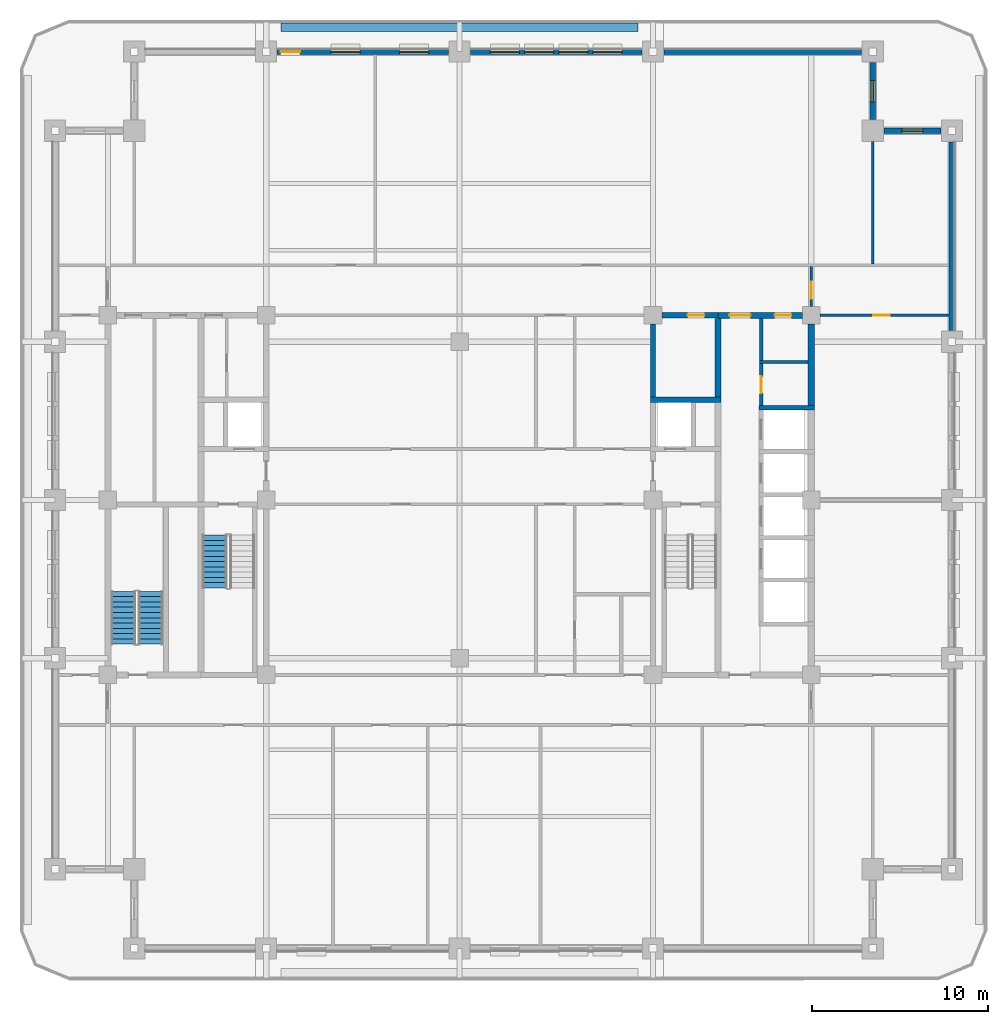
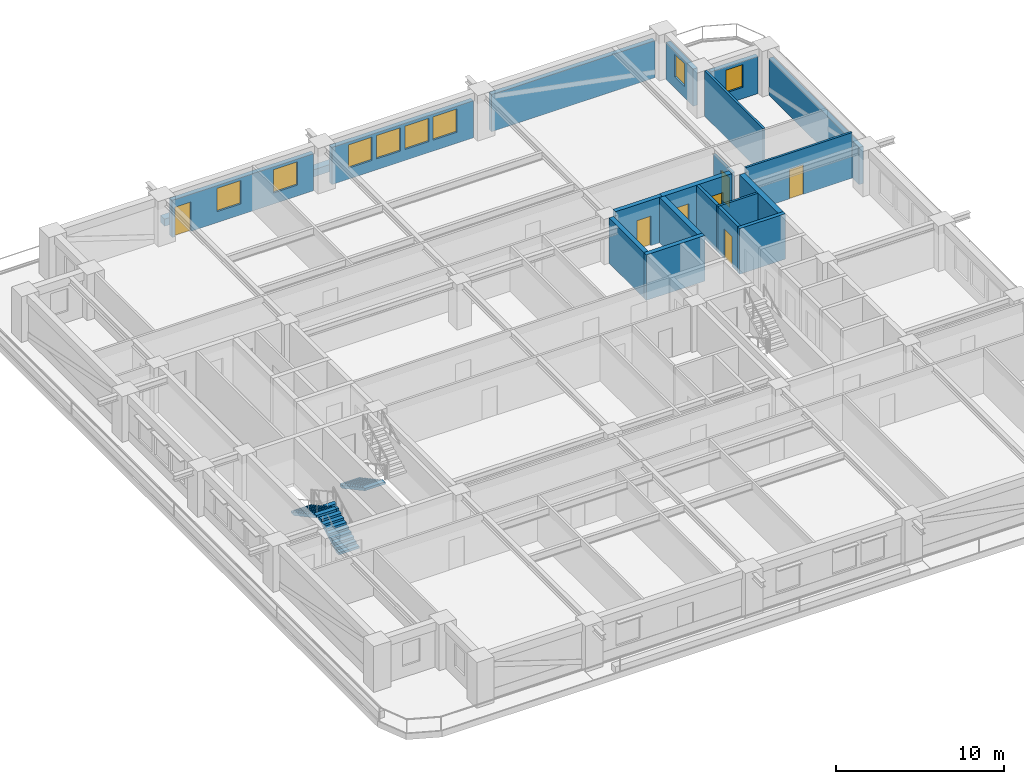
# One storey, part 6 of 13: 20 walls, 8 windows, 7 doors, 3 stair flights, 15 openings, 2 elements without a shape of their own.
"""IFC4 building model written with IfcOpenShell, lengths in metres."""

from ifc_helpers import new_model, si_unit, direction, frame, frame_2d, origin, place, context, subcontext, project, spatial, polyline, rectangle, outline, extrude, material, layer, layer_set, type_object, element, fill, aggregate, save


model = new_model("IFC4")

# Units and contexts
model_context = context("Model", 3, precision=1e-05, world=origin(), true_north=direction((0.0, 1.0)))
body_context = subcontext(model_context, "Body", "Model", "MODEL_VIEW")
ifc_project = project(units=[si_unit("LENGTHUNIT", "METRE"), si_unit("AREAUNIT", "SQUARE_METRE"), si_unit("VOLUMEUNIT", "CUBIC_METRE"), si_unit("PLANEANGLEUNIT", "RADIAN"), si_unit("MASSUNIT", "GRAM", prefix="KILO")], contexts=[model_context])

# Site, building, storey
site_placement = place(None, origin())
site = spatial("IfcSite", under=ifc_project, at=site_placement, CompositionType="ELEMENT")
building_placement = place(site_placement, origin())
building = spatial("IfcBuilding", under=site, at=building_placement, Name="Zulmaris Gate Convention Tower", CompositionType="ELEMENT")
storey_placement = place(building_placement, frame((0.0, 0.0, 109.2099609375)))
storey = spatial("IfcBuildingStorey", under=building, at=storey_placement, Name="L27", CompositionType="ELEMENT", Elevation=109.2099609375)

# Walls
ifc_material_1 = material(Name="Concrete C50/60", Category="concrete")
ifc_layer_1 = layer(ifc_material_1, 0.25, Name="Concrete C50/60")
ifc_layer_set_1 = layer_set([ifc_layer_1], Name="Concrete C50/60")
wall_type_1 = type_object("IfcWallType", Name="CORE-250", PredefinedType="SOLIDWALL", material=ifc_layer_set_1)
wall_1_placement = place(storey_placement, frame((17.02490234375, 5.25, 0.0), z_axis=(0.0, 0.0, 1.0), x_axis=(1.0, 0.0, 0.0)))
element("IfcWall", 1, at=wall_1_placement, inside=storey, type_object=wall_type_1, Name="WL-L27-014", PredefinedType="SOLIDWALL", context=body_context, shape_type="SweptSolid", body=[
    extrude(rectangle(XDim=3.150146484375, YDim=0.25, at=frame_2d((1.5751953125, 0.0))), origin(), (0.0, 0.0, 1.0), 3.320068359375),
])
ifc_layer_2 = layer(ifc_material_1, 0.300048828125, Name="Concrete C50/60")
ifc_layer_set_2 = layer_set([ifc_layer_2], Name="Concrete C50/60")
wall_type_2 = type_object("IfcWallType", Name="CORE-300", PredefinedType="SHEAR", material=ifc_layer_set_2)
wall_2_placement = place(storey_placement, frame((10.85009765625, 5.699951171875, 0.0), z_axis=(0.0, 0.0, 1.0), x_axis=(1.0, 0.0, 0.0)))
element("IfcWall", 2, at=wall_2_placement, inside=storey, type_object=wall_type_2, Name="WL-L27-016", PredefinedType="SHEAR", context=body_context, shape_type="SweptSolid", body=[
    extrude(rectangle(XDim=4.02490234375, YDim=0.300048828125, at=frame_2d((2.012451171875, 0.0))), origin(), (0.0, 0.0, 1.0), 3.320068359375),
])

# Wall, opening, door
wall_3_placement = place(storey_placement, frame((11.50390625, 10.5, 0.0), z_axis=(0.0, 0.0, 1.0), x_axis=(1.0, 0.0, 0.0)))
wall_3 = element("IfcWall", 3, at=wall_3_placement, inside=storey, type_object=wall_type_2, Name="WL-L27-019", PredefinedType="SHEAR", context=body_context, shape_type="SweptSolid", body=[
    extrude(rectangle(XDim=3.196044921875, YDim=0.300048828125, at=frame_2d((1.59814453125, 0.0))), origin(), (0.0, 0.0, 1.0), 3.320068359375),
])
opening_1_placement = place(wall_3_placement, frame((1.470947265625, 0.0, 0.0)))
opening_1 = element("IfcOpeningElement", 4, at=opening_1_placement, cuts=wall_3, Name="Opening D-11", PredefinedType="OPENING", context=body_context, shape_type="SweptSolid", body=[
    extrude(rectangle(XDim=0.949951171875, YDim=2.14990234375, at=frame_2d((0.47509765625, 1.074951171875))), frame((0.0, 0.16015625, 0.0), z_axis=(0.0, -1.0, 0.0), x_axis=(1.0, 0.0, 0.0)), (0.0, 0.0, 1.0), 0.320068359375),
])
ifc_material_2 = material(Name="Fire-Rated Timber", Category="wood")
door_type_1 = type_object("IfcDoorType", Name="DR-950-FD", OperationType="NOTDEFINED", PredefinedType="DOOR", material=ifc_material_2)
door_1_placement = place(opening_1_placement, origin())
door_1 = element("IfcDoor", 5, at=door_1_placement, inside=storey, type_object=door_type_1, Name="L27 Core Tea Pantry Door 09", OperationType="SINGLE_SWING_LEFT", OverallHeight=2.14990234375, OverallWidth=0.949951171875, PredefinedType="DOOR", context=body_context, shape_type="SweptSolid", body=[
    extrude(rectangle(XDim=0.949951171875, YDim=2.14990234375, at=frame_2d((0.47509765625, 1.074951171875))), frame((0.0, 0.02490234375, 0.0), z_axis=(0.0, -1.0, 0.0), x_axis=(1.0, 0.0, 0.0)), (0.0, 0.0, 1.0), 0.050048828125),
])
fill(opening_1, door_1)

# Wall
wall_4_placement = place(storey_placement, frame((11.0, 5.85205078125, 0.0), z_axis=(0.0, 0.0, 1.0), x_axis=(0.0, 1.0, 0.0)))
element("IfcWall", 6, at=wall_4_placement, inside=storey, type_object=wall_type_2, Name="WL-L27-050", PredefinedType="SHEAR", context=body_context, shape_type="SweptSolid", body=[
    extrude(rectangle(XDim=4.14404296875, YDim=0.300048828125, at=frame_2d((2.072021484375, 0.0))), origin(), (0.0, 0.0, 1.0), 3.320068359375),
])

# Wall, openings, doors
ifc_material_3 = material(Name="Concrete C55/67", Category="concrete")
ifc_layer_3 = layer(ifc_material_3, 0.35009765625, Name="Concrete C55/67")
ifc_layer_set_3 = layer_set([ifc_layer_3], Name="Concrete C55/67")
wall_type_3 = type_object("IfcWallType", Name="CORE-350", PredefinedType="SHEAR", material=ifc_layer_set_3)
wall_5_placement = place(storey_placement, frame((14.699951171875, 10.5, 0.0), z_axis=(0.0, 0.0, 1.0), x_axis=(1.0, 0.0, 0.0)))
wall_5 = element("IfcWall", 7, at=wall_5_placement, inside=storey, type_object=wall_type_3, Name="WL-L27-020", PredefinedType="SHEAR", context=body_context, shape_type="SweptSolid", body=[
    extrude(rectangle(XDim=4.796142578125, YDim=0.35009765625, at=frame_2d((2.39794921875, 0.0))), origin(), (0.0, 0.0, 1.0), 3.320068359375),
])
opening_2_placement = place(wall_5_placement, frame((0.64990234375, 0.0, 0.0)))
opening_2 = element("IfcOpeningElement", 8, at=opening_2_placement, cuts=wall_5, Name="Opening D-13", PredefinedType="OPENING", context=body_context, shape_type="SweptSolid", body=[
    extrude(rectangle(XDim=1.199951171875, YDim=2.14990234375, at=frame_2d((0.60009765625, 1.074951171875))), frame((0.0, 0.18505859375, 0.0), z_axis=(0.0, -1.0, 0.0), x_axis=(1.0, 0.0, 0.0)), (0.0, 0.0, 1.0), 0.3701171875),
])
opening_3_placement = place(wall_5_placement, frame((3.22509765625, 0.0, 0.0)))
opening_3 = element("IfcOpeningElement", 9, at=opening_3_placement, cuts=wall_5, Name="Opening D-11", PredefinedType="OPENING", context=body_context, shape_type="SweptSolid", body=[
    extrude(rectangle(XDim=0.949951171875, YDim=2.14990234375, at=frame_2d((0.47509765625, 1.074951171875))), frame((0.0, 0.18505859375, 0.0), z_axis=(0.0, -1.0, 0.0), x_axis=(1.0, 0.0, 0.0)), (0.0, 0.0, 1.0), 0.3701171875),
])
ifc_material_4 = material(Name="Fire-Rated Steel", Category="steel")
door_type_2 = type_object("IfcDoorType", Name="DR-1200-FD", OperationType="NOTDEFINED", PredefinedType="DOOR", material=ifc_material_4)
door_2_placement = place(opening_2_placement, origin())
door_2 = element("IfcDoor", 10, at=door_2_placement, inside=storey, type_object=door_type_2, Name="L27 East Lift Lobby North Door 18", OperationType="SINGLE_SWING_RIGHT", OverallHeight=2.14990234375, OverallWidth=1.199951171875, PredefinedType="DOOR", context=body_context, shape_type="SweptSolid", body=[
    extrude(rectangle(XDim=1.199951171875, YDim=2.14990234375, at=frame_2d((0.60009765625, 1.074951171875))), frame((0.0, 0.02490234375, 0.0), z_axis=(0.0, -1.0, 0.0), x_axis=(1.0, 0.0, 0.0)), (0.0, 0.0, 1.0), 0.050048828125),
])
fill(opening_2, door_2)
door_3_placement = place(opening_3_placement, origin())
door_3 = element("IfcDoor", 11, at=door_3_placement, inside=storey, type_object=door_type_1, Name="L27 Mid-Rise Supply Door 19", OperationType="SINGLE_SWING_LEFT", OverallHeight=2.14990234375, OverallWidth=0.949951171875, PredefinedType="DOOR", context=body_context, shape_type="SweptSolid", body=[
    extrude(rectangle(XDim=0.949951171875, YDim=2.14990234375, at=frame_2d((0.47509765625, 1.074951171875))), frame((0.0, 0.02490234375, 0.0), z_axis=(0.0, -1.0, 0.0), x_axis=(1.0, 0.0, 0.0)), (0.0, 0.0, 1.0), 0.050048828125),
])
fill(opening_3, door_3)

# Walls
wall_6_placement = place(storey_placement, frame((14.699951171875, 5.85205078125, 0.0), z_axis=(0.0, 0.0, 1.0), x_axis=(0.0, 1.0, 0.0)))
element("IfcWall", 12, at=wall_6_placement, inside=storey, type_object=wall_type_3, Name="WL-L27-056", PredefinedType="SHEAR", context=body_context, shape_type="SweptSolid", body=[
    extrude(rectangle(XDim=4.470947265625, YDim=0.35009765625, at=frame_2d((2.2353515625, 0.0))), origin(), (0.0, 0.0, 1.0), 3.320068359375),
])
wall_7_placement = place(storey_placement, frame((20.0, 5.376953125, 0.0), z_axis=(0.0, 0.0, 1.0), x_axis=(0.0, 1.0, 0.0)))
element("IfcWall", 13, at=wall_7_placement, inside=storey, type_object=wall_type_3, Name="WL-L27-068", PredefinedType="SHEAR", context=body_context, shape_type="SweptSolid", body=[
    extrude(rectangle(XDim=4.619140625, YDim=0.35009765625, at=frame_2d((2.3095703125, 0.0))), origin(), (0.0, 0.0, 1.0), 3.320068359375),
])
ifc_material_5 = material(Name="Gypsum Metal Stud Partition")
ifc_layer_4 = layer(ifc_material_5, 0.14990234375, Name="Gypsum Metal Stud Partition")
ifc_layer_set_4 = layer_set([ifc_layer_4], Name="Gypsum Metal Stud Partition")
wall_type_4 = type_object("IfcWallType", Name="PART-150", PredefinedType="PARTITIONING", material=ifc_layer_set_4)
wall_8_placement = place(storey_placement, frame((17.050048828125, 7.85009765625, 0.0), z_axis=(0.0, 0.0, 1.0), x_axis=(1.0, 0.0, 0.0)))
element("IfcWall", 14, at=wall_8_placement, inside=storey, type_object=wall_type_4, Name="WL-L27-029", PredefinedType="PARTITIONING", context=body_context, shape_type="SweptSolid", body=[
    extrude(rectangle(XDim=2.77197265625, YDim=0.14990234375, at=frame_2d((1.385986328125, 0.0))), origin(), (0.0, 0.0, 1.0), 3.320068359375),
])

# Wall, opening, door
wall_9_placement = place(storey_placement, frame((20.506103515625, 10.5, 0.0), z_axis=(0.0, 0.0, 1.0), x_axis=(1.0, 0.0, 0.0)))
wall_9 = element("IfcWall", 15, at=wall_9_placement, inside=storey, type_object=wall_type_4, Name="WL-L27-032", PredefinedType="PARTITIONING", context=body_context, shape_type="SweptSolid", body=[
    extrude(rectangle(XDim=7.328857421875, YDim=0.14990234375, at=frame_2d((3.66455078125, 0.0))), origin(), (0.0, 0.0, 1.0), 3.320068359375),
])
opening_4_placement = place(wall_9_placement, frame((3.01904296875, 0.0, 0.0)))
opening_4 = element("IfcOpeningElement", 16, at=opening_4_placement, cuts=wall_9, Name="Opening D-11", PredefinedType="OPENING", context=body_context, shape_type="SweptSolid", body=[
    extrude(rectangle(XDim=0.949951171875, YDim=2.14990234375, at=frame_2d((0.47509765625, 1.074951171875))), frame((0.0, 0.0849609375, 0.0), z_axis=(0.0, -1.0, 0.0), x_axis=(1.0, 0.0, 0.0)), (0.0, 0.0, 1.0), 0.169921875),
])
door_4_placement = place(opening_4_placement, origin())
door_4 = element("IfcDoor", 17, at=door_4_placement, inside=storey, type_object=door_type_1, Name="L27 NE Partner Door 44", OperationType="SINGLE_SWING_RIGHT", OverallHeight=2.14990234375, OverallWidth=0.949951171875, PredefinedType="DOOR", context=body_context, shape_type="SweptSolid", body=[
    extrude(rectangle(XDim=0.949951171875, YDim=2.14990234375, at=frame_2d((0.47509765625, 1.074951171875))), frame((0.0, 0.02490234375, 0.0), z_axis=(0.0, -1.0, 0.0), x_axis=(1.0, 0.0, 0.0)), (0.0, 0.0, 1.0), 0.050048828125),
])
fill(opening_4, door_4)

wall_10_placement = place(storey_placement, frame((20.0, 11.006103515625, 0.0), z_axis=(0.0, 0.0, 1.0), x_axis=(0.0, 1.0, 0.0)))
wall_10 = element("IfcWall", 18, at=wall_10_placement, inside=storey, type_object=wall_type_4, Name="WL-L27-089", PredefinedType="PARTITIONING", context=body_context, shape_type="SweptSolid", body=[
    extrude(rectangle(XDim=2.265869140625, YDim=0.14990234375, at=frame_2d((1.1328125, 0.0))), origin(), (0.0, 0.0, 1.0), 2.81005859375),
])
opening_5_placement = place(wall_10_placement, frame((0.448974609375, 0.0, 0.0)))
opening_5 = element("IfcOpeningElement", 19, at=opening_5_placement, cuts=wall_10, Name="Opening D-11", PredefinedType="OPENING", context=body_context, shape_type="SweptSolid", body=[
    extrude(rectangle(XDim=0.949951171875, YDim=2.14990234375, at=frame_2d((0.47509765625, 1.074951171875))), frame((0.0, 0.0849609375, 0.0), z_axis=(0.0, -1.0, 0.0), x_axis=(1.0, 0.0, 0.0)), (0.0, 0.0, 1.0), 0.169921875),
])
door_5_placement = place(opening_5_placement, origin())
door_5 = element("IfcDoor", 20, at=door_5_placement, inside=storey, type_object=door_type_1, Name="L27 NE Spur Door 42", OperationType="SINGLE_SWING_RIGHT", OverallHeight=2.14990234375, OverallWidth=0.949951171875, PredefinedType="DOOR", context=body_context, shape_type="SweptSolid", body=[
    extrude(rectangle(XDim=0.949951171875, YDim=2.14990234375, at=frame_2d((0.47509765625, 1.074951171875))), frame((0.0, 0.02490234375, 0.0), z_axis=(0.0, -1.0, 0.0), x_axis=(1.0, 0.0, 0.0)), (0.0, 0.0, 1.0), 0.050048828125),
])
fill(opening_5, door_5)

# Wall
wall_11_placement = place(storey_placement, frame((23.5, 13.427978515625, 0.0), z_axis=(0.0, 0.0, 1.0), x_axis=(0.0, 1.0, 0.0)))
element("IfcWall", 21, at=wall_11_placement, inside=storey, type_object=wall_type_4, Name="WL-L27-091", PredefinedType="PARTITIONING", context=body_context, shape_type="SweptSolid", body=[
    extrude(rectangle(XDim=6.966064453125, YDim=0.14990234375, at=frame_2d((3.48291015625, 0.0))), origin(), (0.0, 0.0, 1.0), 3.320068359375),
])

# Wall, opening, door
ifc_material_6 = material(Name="Autoclaved Aerated Concrete Block and Plasterboard", Category="concrete")
ifc_layer_5 = layer(ifc_material_6, 0.199951171875, Name="Autoclaved Aerated Concrete Block and Plasterboard")
ifc_layer_set_5 = layer_set([ifc_layer_5], Name="Autoclaved Aerated Concrete Block and Plasterboard")
wall_type_5 = type_object("IfcWallType", Name="PART-200", PredefinedType="PARTITIONING", material=ifc_layer_set_5)
wall_12_placement = place(storey_placement, frame((17.14990234375, 5.3779296875, 0.0), z_axis=(0.0, 0.0, 1.0), x_axis=(0.0, 1.0, 0.0)))
wall_12 = element("IfcWall", 22, at=wall_12_placement, inside=storey, type_object=wall_type_5, Name="WL-L27-086", PredefinedType="PARTITIONING", context=body_context, shape_type="SweptSolid", body=[
    extrude(rectangle(XDim=2.39404296875, YDim=0.199951171875, at=frame_2d((1.197021484375, 0.0))), origin(), (0.0, 0.0, 1.0), 3.320068359375),
])
opening_6_placement = place(wall_12_placement, frame((0.697021484375, 0.0, 0.0)))
opening_6 = element("IfcOpeningElement", 23, at=opening_6_placement, cuts=wall_12, Name="Opening D-11", PredefinedType="OPENING", context=body_context, shape_type="SweptSolid", body=[
    extrude(rectangle(XDim=0.949951171875, YDim=2.14990234375, at=frame_2d((0.47509765625, 1.074951171875))), frame((0.0, 0.10986328125, 0.0), z_axis=(0.0, -1.0, 0.0), x_axis=(1.0, 0.0, 0.0)), (0.0, 0.0, 1.0), 0.219970703125),
])
door_6_placement = place(opening_6_placement, origin())
door_6 = element("IfcDoor", 24, at=door_6_placement, inside=storey, type_object=door_type_1, Name="L27 Mid-Rise Meter Door 20", OperationType="SINGLE_SWING_RIGHT", OverallHeight=2.14990234375, OverallWidth=0.949951171875, PredefinedType="DOOR", context=body_context, shape_type="SweptSolid", body=[
    extrude(rectangle(XDim=0.949951171875, YDim=2.14990234375, at=frame_2d((0.47509765625, 1.074951171875))), frame((0.0, 0.02490234375, 0.0), z_axis=(0.0, -1.0, 0.0), x_axis=(1.0, 0.0, 0.0)), (0.0, 0.0, 1.0), 0.050048828125),
])
fill(opening_6, door_6)

# Walls
wall_13_placement = place(storey_placement, frame((17.14990234375, 7.927978515625, 0.0), z_axis=(0.0, 0.0, 1.0), x_axis=(0.0, 1.0, 0.0)))
element("IfcWall", 25, at=wall_13_placement, inside=storey, type_object=wall_type_5, Name="WL-L27-087", PredefinedType="PARTITIONING", context=body_context, shape_type="SweptSolid", body=[
    extrude(rectangle(XDim=2.39404296875, YDim=0.199951171875, at=frame_2d((1.197021484375, 0.0))), origin(), (0.0, 0.0, 1.0), 3.320068359375),
])
ifc_material_7 = material(Name="Botanical Green Glazed Precast Concrete C40/50", Category="concrete")
ifc_layer_6 = layer(ifc_material_7, 0.419921875, Name="Botanical Green Glazed Precast Concrete C40/50")
ifc_layer_set_6 = layer_set([ifc_layer_6], Name="Botanical Green Glazed Precast Concrete C40/50")
wall_type_6 = type_object("IfcWallType", Name="PLANTER-CURB-200", PredefinedType="PARAPET", material=ifc_layer_set_6)
wall_14_placement = place(storey_placement, frame((-10.14990234375, 26.8798828125, -0.0400390625), z_axis=(0.0, 0.0, 1.0), x_axis=(1.0, 0.0, 0.0)))
element("IfcWall", 26, at=wall_14_placement, inside=storey, type_object=wall_type_6, Name="L27 Full-Length Balcony Tree Planter Trough", PredefinedType="PARAPET", context=body_context, shape_type="SweptSolid", body=[
    extrude(rectangle(XDim=20.2998046875, YDim=0.47998046875, at=frame_2d((10.14990234375, 0.0))), origin(), (0.0, 0.0, 1.0), 0.52001953125),
])

# Wall, opening, window
ifc_material_8 = material(Name="Precast concrete C40/50", Category="concrete")
ifc_layer_7 = layer(ifc_material_8, 0.300048828125, Name="Precast concrete C40/50")
ifc_layer_set_7 = layer_set([ifc_layer_7], Name="Precast concrete C40/50")
wall_type_7 = type_object("IfcWallType", Name="PRECAST-PIER-300", PredefinedType="STANDARD", material=ifc_layer_set_7)
wall_15_placement = place(storey_placement, frame((27.3701171875, 21.0, 0.0), z_axis=(0.0, 0.0, 1.0), x_axis=(-1.0, 0.0, 0.0)))
wall_15 = element("IfcWall", 27, at=wall_15_placement, inside=storey, type_object=wall_type_7, Name="EW-L27-NOTCH-NE1_0", PredefinedType="STANDARD", context=body_context, shape_type="SweptSolid", body=[
    extrude(rectangle(XDim=3.240234375, YDim=0.300048828125, at=frame_2d((1.6201171875, 0.0))), origin(), (0.0, 0.0, 1.0), 2.712158203125),
])
opening_7_placement = place(wall_15_placement, frame((1.02001953125, 0.0, 0.820068359375)))
opening_7 = element("IfcOpeningElement", 28, at=opening_7_placement, cuts=wall_15, Name="Opening W-04", PredefinedType="OPENING", context=body_context, shape_type="SweptSolid", body=[
    extrude(rectangle(XDim=1.199951171875, YDim=1.64990234375, at=frame_2d((0.60009765625, 0.824951171875))), frame((0.0, 0.16015625, 0.0), z_axis=(0.0, -1.0, 0.0), x_axis=(1.0, 0.0, 0.0)), (0.0, 0.0, 1.0), 0.320068359375),
])
ifc_material_9 = material(Name="Low-E Laminated Double Glazing in Aluminium Frame", Category="aluminium")
window_type_1 = type_object("IfcWindowType", Name="WIN-1200x2100", PartitioningType="SINGLE_PANEL", PredefinedType="WINDOW", material=ifc_material_9)
window_1_placement = place(opening_7_placement, origin())
window_1 = element("IfcWindow", 29, at=window_1_placement, inside=storey, type_object=window_type_1, Name="WN-EW-L27-NOTCH-NE1_0", OverallHeight=1.64990234375, OverallWidth=1.199951171875, PartitioningType="SINGLE_PANEL", PredefinedType="WINDOW", context=body_context, shape_type="SweptSolid", body=[
    extrude(rectangle(XDim=1.199951171875, YDim=1.64990234375, at=frame_2d((0.60009765625, 0.824951171875))), frame((0.0, 0.030029296875, 0.0), z_axis=(0.0, -1.0, 0.0), x_axis=(1.0, 0.0, 0.0)), (0.0, 0.0, 1.0), 0.06005859375),
])
fill(opening_7, window_1)

wall_16_placement = place(storey_placement, frame((23.5, 21.6298828125, 0.0), z_axis=(0.0, 0.0, 1.0), x_axis=(0.0, 1.0, 0.0)))
wall_16 = element("IfcWall", 30, at=wall_16_placement, inside=storey, type_object=wall_type_7, Name="EW-L27-NOTCH-NE2_0", PredefinedType="STANDARD", context=body_context, shape_type="SweptSolid", body=[
    extrude(rectangle(XDim=3.240234375, YDim=0.300048828125, at=frame_2d((1.6201171875, 0.0))), origin(), (0.0, 0.0, 1.0), 2.712158203125),
])
opening_8_placement = place(wall_16_placement, frame((1.02001953125, 0.0, 0.820068359375)))
opening_8 = element("IfcOpeningElement", 31, at=opening_8_placement, cuts=wall_16, Name="Opening W-04", PredefinedType="OPENING", context=body_context, shape_type="SweptSolid", body=[
    extrude(rectangle(XDim=1.199951171875, YDim=1.64990234375, at=frame_2d((0.60009765625, 0.824951171875))), frame((0.0, 0.16015625, 0.0), z_axis=(0.0, -1.0, 0.0), x_axis=(1.0, 0.0, 0.0)), (0.0, 0.0, 1.0), 0.320068359375),
])
window_2_placement = place(opening_8_placement, origin())
window_2 = element("IfcWindow", 32, at=window_2_placement, inside=storey, type_object=window_type_1, Name="WN-EW-L27-NOTCH-NE2_0", OverallHeight=1.64990234375, OverallWidth=1.199951171875, PartitioningType="SINGLE_PANEL", PredefinedType="WINDOW", context=body_context, shape_type="SweptSolid", body=[
    extrude(rectangle(XDim=1.199951171875, YDim=1.64990234375, at=frame_2d((0.60009765625, 0.824951171875))), frame((0.0, 0.030029296875, 0.0), z_axis=(0.0, -1.0, 0.0), x_axis=(1.0, 0.0, 0.0)), (0.0, 0.0, 1.0), 0.06005859375),
])
fill(opening_8, window_2)

# Wall, openings, door, windows
wall_17_placement = place(storey_placement, frame((-0.6298828125, 25.5, 0.0), z_axis=(0.0, 0.0, 1.0), x_axis=(-1.0, 0.0, 0.0)))
wall_17 = element("IfcWall", 33, at=wall_17_placement, inside=storey, type_object=wall_type_7, Name="EW-L27-N-1_0", PredefinedType="STANDARD", context=body_context, shape_type="SweptSolid", body=[
    extrude(rectangle(XDim=9.740234375, YDim=0.300048828125, at=frame_2d((4.8701171875, 0.0))), origin(), (0.0, 0.0, 1.0), 2.712158203125),
])
opening_9_placement = place(wall_17_placement, frame((8.43994140625, 0.0, 0.0)))
opening_9 = element("IfcOpeningElement", 34, at=opening_9_placement, cuts=wall_17, Name="Opening D-04", PredefinedType="OPENING", context=body_context, shape_type="SweptSolid", body=[
    extrude(rectangle(XDim=1.10009765625, YDim=2.14990234375, at=frame_2d((0.550048828125, 1.074951171875))), frame((0.0, 0.16015625, 0.0), z_axis=(0.0, -1.0, 0.0), x_axis=(1.0, 0.0, 0.0)), (0.0, 0.0, 1.0), 0.320068359375),
])
opening_10_placement = place(wall_17_placement, frame((1.123046875, 0.0, 0.800048828125)))
opening_10 = element("IfcOpeningElement", 35, at=opening_10_placement, cuts=wall_17, Name="Opening W-08", PredefinedType="OPENING", context=body_context, shape_type="SweptSolid", body=[
    extrude(rectangle(XDim=1.64990234375, YDim=1.699951171875, at=frame_2d((0.824951171875, 0.85009765625))), frame((0.0, 0.16015625, 0.0), z_axis=(0.0, -1.0, 0.0), x_axis=(1.0, 0.0, 0.0)), (0.0, 0.0, 1.0), 0.320068359375),
])
opening_11_placement = place(wall_17_placement, frame((5.01904296875, 0.0, 0.800048828125)))
opening_11 = element("IfcOpeningElement", 36, at=opening_11_placement, cuts=wall_17, Name="Opening W-08", PredefinedType="OPENING", context=body_context, shape_type="SweptSolid", body=[
    extrude(rectangle(XDim=1.64990234375, YDim=1.699951171875, at=frame_2d((0.824951171875, 0.85009765625))), frame((0.0, 0.16015625, 0.0), z_axis=(0.0, -1.0, 0.0), x_axis=(1.0, 0.0, 0.0)), (0.0, 0.0, 1.0), 0.320068359375),
])
ifc_material_10 = material(Name="Anodised Aluminium and Laminated Glass", Category="aluminium")
door_type_3 = type_object("IfcDoorType", Name="ED-1100", OperationType="SINGLE_SWING_RIGHT", PredefinedType="DOOR", material=ifc_material_10)
door_7_placement = place(opening_9_placement, origin())
door_7 = element("IfcDoor", 37, at=door_7_placement, inside=storey, type_object=door_type_3, Name="L27 N Planted Terrace Door", OperationType="SINGLE_SWING_LEFT", OverallHeight=2.14990234375, OverallWidth=1.10009765625, PredefinedType="DOOR", context=body_context, shape_type="SweptSolid", body=[
    extrude(rectangle(XDim=1.10009765625, YDim=2.14990234375, at=frame_2d((0.550048828125, 1.074951171875))), frame((0.0, 0.02490234375, 0.0), z_axis=(0.0, -1.0, 0.0), x_axis=(1.0, 0.0, 0.0)), (0.0, 0.0, 1.0), 0.050048828125),
])
fill(opening_9, door_7)
window_type_2 = type_object("IfcWindowType", Name="WIN-1650x2150", PartitioningType="SINGLE_PANEL", PredefinedType="WINDOW", material=ifc_material_9)
window_3_placement = place(opening_10_placement, origin())
window_3 = element("IfcWindow", 38, at=window_3_placement, inside=storey, type_object=window_type_2, Name="WN-EW-L27-N-1_0-1", OverallHeight=1.699951171875, OverallWidth=1.64990234375, PartitioningType="SINGLE_PANEL", PredefinedType="WINDOW", context=body_context, shape_type="SweptSolid", body=[
    extrude(rectangle(XDim=1.64990234375, YDim=1.699951171875, at=frame_2d((0.824951171875, 0.85009765625))), frame((0.0, 0.030029296875, 0.0), z_axis=(0.0, -1.0, 0.0), x_axis=(1.0, 0.0, 0.0)), (0.0, 0.0, 1.0), 0.06005859375),
])
fill(opening_10, window_3)
window_4_placement = place(opening_11_placement, origin())
window_4 = element("IfcWindow", 39, at=window_4_placement, inside=storey, type_object=window_type_2, Name="WN-EW-L27-N-1_0-3", OverallHeight=1.699951171875, OverallWidth=1.64990234375, PartitioningType="SINGLE_PANEL", PredefinedType="WINDOW", context=body_context, shape_type="SweptSolid", body=[
    extrude(rectangle(XDim=1.64990234375, YDim=1.699951171875, at=frame_2d((0.824951171875, 0.85009765625))), frame((0.0, 0.030029296875, 0.0), z_axis=(0.0, -1.0, 0.0), x_axis=(1.0, 0.0, 0.0)), (0.0, 0.0, 1.0), 0.06005859375),
])
fill(opening_11, window_4)

# Wall, openings, windows
wall_18_placement = place(storey_placement, frame((10.3701171875, 25.5, 0.0), z_axis=(0.0, 0.0, 1.0), x_axis=(-1.0, 0.0, 0.0)))
wall_18 = element("IfcWall", 40, at=wall_18_placement, inside=storey, type_object=wall_type_7, Name="EW-L27-N-2_0", PredefinedType="STANDARD", context=body_context, shape_type="SweptSolid", body=[
    extrude(rectangle(XDim=9.740234375, YDim=0.300048828125, at=frame_2d((4.8701171875, 0.0))), origin(), (0.0, 0.0, 1.0), 2.712158203125),
])
opening_12_placement = place(wall_18_placement, frame((1.123046875, 0.0, 0.800048828125)))
opening_12 = element("IfcOpeningElement", 41, at=opening_12_placement, cuts=wall_18, Name="Opening W-08", PredefinedType="OPENING", context=body_context, shape_type="SweptSolid", body=[
    extrude(rectangle(XDim=1.64990234375, YDim=1.699951171875, at=frame_2d((0.824951171875, 0.85009765625))), frame((0.0, 0.16015625, 0.0), z_axis=(0.0, -1.0, 0.0), x_axis=(1.0, 0.0, 0.0)), (0.0, 0.0, 1.0), 0.320068359375),
])
opening_13_placement = place(wall_18_placement, frame((3.071044921875, 0.0, 0.800048828125)))
opening_13 = element("IfcOpeningElement", 42, at=opening_13_placement, cuts=wall_18, Name="Opening W-08", PredefinedType="OPENING", context=body_context, shape_type="SweptSolid", body=[
    extrude(rectangle(XDim=1.64990234375, YDim=1.699951171875, at=frame_2d((0.824951171875, 0.85009765625))), frame((0.0, 0.16015625, 0.0), z_axis=(0.0, -1.0, 0.0), x_axis=(1.0, 0.0, 0.0)), (0.0, 0.0, 1.0), 0.320068359375),
])
opening_14_placement = place(wall_18_placement, frame((5.01904296875, 0.0, 0.800048828125)))
opening_14 = element("IfcOpeningElement", 43, at=opening_14_placement, cuts=wall_18, Name="Opening W-08", PredefinedType="OPENING", context=body_context, shape_type="SweptSolid", body=[
    extrude(rectangle(XDim=1.64990234375, YDim=1.699951171875, at=frame_2d((0.824951171875, 0.85009765625))), frame((0.0, 0.16015625, 0.0), z_axis=(0.0, -1.0, 0.0), x_axis=(1.0, 0.0, 0.0)), (0.0, 0.0, 1.0), 0.320068359375),
])
opening_15_placement = place(wall_18_placement, frame((6.967041015625, 0.0, 0.800048828125)))
opening_15 = element("IfcOpeningElement", 44, at=opening_15_placement, cuts=wall_18, Name="Opening W-08", PredefinedType="OPENING", context=body_context, shape_type="SweptSolid", body=[
    extrude(rectangle(XDim=1.64990234375, YDim=1.699951171875, at=frame_2d((0.824951171875, 0.85009765625))), frame((0.0, 0.16015625, 0.0), z_axis=(0.0, -1.0, 0.0), x_axis=(1.0, 0.0, 0.0)), (0.0, 0.0, 1.0), 0.320068359375),
])
window_5_placement = place(opening_12_placement, origin())
window_5 = element("IfcWindow", 45, at=window_5_placement, inside=storey, type_object=window_type_2, Name="WN-EW-L27-N-2_0-1", OverallHeight=1.699951171875, OverallWidth=1.64990234375, PartitioningType="SINGLE_PANEL", PredefinedType="WINDOW", context=body_context, shape_type="SweptSolid", body=[
    extrude(rectangle(XDim=1.64990234375, YDim=1.699951171875, at=frame_2d((0.824951171875, 0.85009765625))), frame((0.0, 0.030029296875, 0.0), z_axis=(0.0, -1.0, 0.0), x_axis=(1.0, 0.0, 0.0)), (0.0, 0.0, 1.0), 0.06005859375),
])
fill(opening_12, window_5)
window_6_placement = place(opening_13_placement, origin())
window_6 = element("IfcWindow", 46, at=window_6_placement, inside=storey, type_object=window_type_2, Name="WN-EW-L27-N-2_0-2", OverallHeight=1.699951171875, OverallWidth=1.64990234375, PartitioningType="SINGLE_PANEL", PredefinedType="WINDOW", context=body_context, shape_type="SweptSolid", body=[
    extrude(rectangle(XDim=1.64990234375, YDim=1.699951171875, at=frame_2d((0.824951171875, 0.85009765625))), frame((0.0, 0.030029296875, 0.0), z_axis=(0.0, -1.0, 0.0), x_axis=(1.0, 0.0, 0.0)), (0.0, 0.0, 1.0), 0.06005859375),
])
fill(opening_13, window_6)
window_7_placement = place(opening_14_placement, origin())
window_7 = element("IfcWindow", 47, at=window_7_placement, inside=storey, type_object=window_type_2, Name="WN-EW-L27-N-2_0-3", OverallHeight=1.699951171875, OverallWidth=1.64990234375, PartitioningType="SINGLE_PANEL", PredefinedType="WINDOW", context=body_context, shape_type="SweptSolid", body=[
    extrude(rectangle(XDim=1.64990234375, YDim=1.699951171875, at=frame_2d((0.824951171875, 0.85009765625))), frame((0.0, 0.030029296875, 0.0), z_axis=(0.0, -1.0, 0.0), x_axis=(1.0, 0.0, 0.0)), (0.0, 0.0, 1.0), 0.06005859375),
])
fill(opening_14, window_7)
window_8_placement = place(opening_15_placement, origin())
window_8 = element("IfcWindow", 48, at=window_8_placement, inside=storey, type_object=window_type_2, Name="WN-EW-L27-N-2_0-4", OverallHeight=1.699951171875, OverallWidth=1.64990234375, PartitioningType="SINGLE_PANEL", PredefinedType="WINDOW", context=body_context, shape_type="SweptSolid", body=[
    extrude(rectangle(XDim=1.64990234375, YDim=1.699951171875, at=frame_2d((0.824951171875, 0.85009765625))), frame((0.0, 0.030029296875, 0.0), z_axis=(0.0, -1.0, 0.0), x_axis=(1.0, 0.0, 0.0)), (0.0, 0.0, 1.0), 0.06005859375),
])
fill(opening_15, window_8)

# Walls
wall_19_placement = place(storey_placement, frame((22.8701171875, 25.5, 0.0), z_axis=(0.0, 0.0, 1.0), x_axis=(-1.0, 0.0, 0.0)))
element("IfcWall", 49, at=wall_19_placement, inside=storey, type_object=wall_type_7, Name="EW-L27-N-3_0", PredefinedType="STANDARD", context=body_context, shape_type="SweptSolid", body=[
    extrude(rectangle(XDim=11.240234375, YDim=0.300048828125, at=frame_2d((5.6201171875, 0.0))), origin(), (0.0, 0.0, 1.0), 2.712158203125),
])
wall_20_placement = place(storey_placement, frame((28.0, 9.6298828125, 0.0), z_axis=(0.0, 0.0, 1.0), x_axis=(0.0, 1.0, 0.0)))
element("IfcWall", 50, at=wall_20_placement, inside=storey, type_object=wall_type_7, Name="EW-L27-E-3_0", PredefinedType="STANDARD", context=body_context, shape_type="SweptSolid", body=[
    extrude(rectangle(XDim=10.740234375, YDim=0.300048828125, at=frame_2d((5.3701171875, 0.0))), origin(), (0.0, 0.0, 1.0), 2.712158203125),
])

# Stair, stair flight
ifc_material_11 = material(Name="Concrete C45/55", Category="concrete")
stair_type = type_object("IfcStairType", Name="ST-CORE-DOGLEG", PredefinedType="HALF_TURN_STAIR", material=ifc_material_11)
stair_1_placement = place(storey_placement, origin())
stair_1 = element("IfcStair", 51, at=stair_1_placement, inside=storey, type_object=stair_type, Name="L27 Core Exit Stair ST-1", PredefinedType="HALF_TURN_STAIR")
ifc_layer_8 = layer(ifc_material_11, 0.14990234375, Name="Concrete C45/55")
ifc_layer_set_8 = layer_set([ifc_layer_8], Name="Concrete C45/55")
stair_flight_type = type_object("IfcStairFlightType", Name="STF-RC150", PredefinedType="STRAIGHT", material=ifc_layer_set_8)
stair_flight_1_placement = place(storey_placement, frame((-13.919921875, -2.0, 0.0), z_axis=(0.0, 0.0, 1.0), x_axis=(0.0, -1.0, 0.0)))
stair_flight_1 = element("IfcStairFlight", 52, at=stair_flight_1_placement, type_object=stair_flight_type, Name="ST-1 flight 1", NumberOfRisers=11, NumberOfTreads=10, PredefinedType="STRAIGHT", RiserHeight=0.162272727, TreadLength=0.3, context=body_context, shape_type="SweptSolid", body=[
    extrude(outline(polyline([(0.0, 0.0), (0.0, 0.162353515625), (0.300048828125, 0.162353515625), (0.300048828125, 0.324462890625), (0.60009765625, 0.324462890625), (0.60009765625, 0.48681640625), (0.89990234375, 0.48681640625), (0.89990234375, 0.649169921875), (1.199951171875, 0.649169921875), (1.199951171875, 0.811279296875), (1.5, 0.811279296875), (1.5, 0.9736328125), (1.800048828125, 0.9736328125), (1.800048828125, 1.135986328125), (2.10009765625, 1.135986328125), (2.10009765625, 1.298095703125), (2.39990234375, 1.298095703125), (2.39990234375, 1.46044921875), (2.699951171875, 1.46044921875), (2.699951171875, 1.622802734375), (3.0, 1.622802734375), (3.0, 1.784912109375), (3.0, 1.452392578125), (0.315185546875, 0.0), (0.0, 0.0)])), frame((0.0, 0.699951171875, 0.0), z_axis=(0.0, -1.0, 0.0), x_axis=(1.0, 0.0, 0.0)), (0.0, 0.0, 1.0), 1.39990234375),
])
aggregate(stair_1, [stair_flight_1])

# Stair, stair flights
stair_2_placement = place(storey_placement, origin())
stair_2 = element("IfcStair", 53, at=stair_2_placement, inside=storey, type_object=stair_type, Name="L27 Core Exit Stair ST-3", PredefinedType="HALF_TURN_STAIR")
stair_flight_2_placement = place(storey_placement, frame((-17.56005859375, -8.199951171875, 0.0), z_axis=(0.0, 0.0, 1.0), x_axis=(0.0, 1.0, 0.0)))
stair_flight_2 = element("IfcStairFlight", 54, at=stair_flight_2_placement, type_object=stair_flight_type, Name="ST-3 flight 1", NumberOfRisers=11, NumberOfTreads=10, PredefinedType="STRAIGHT", RiserHeight=0.162272727, TreadLength=0.3, context=body_context, shape_type="SweptSolid", body=[
    extrude(outline(polyline([(0.0, 0.0), (0.0, 0.162353515625), (0.300048828125, 0.162353515625), (0.300048828125, 0.324462890625), (0.60009765625, 0.324462890625), (0.60009765625, 0.48681640625), (0.89990234375, 0.48681640625), (0.89990234375, 0.649169921875), (1.199951171875, 0.649169921875), (1.199951171875, 0.811279296875), (1.5, 0.811279296875), (1.5, 0.9736328125), (1.800048828125, 0.9736328125), (1.800048828125, 1.135986328125), (2.10009765625, 1.135986328125), (2.10009765625, 1.298095703125), (2.39990234375, 1.298095703125), (2.39990234375, 1.46044921875), (2.699951171875, 1.46044921875), (2.699951171875, 1.622802734375), (3.0, 1.622802734375), (3.0, 1.784912109375), (3.0, 1.452392578125), (0.315185546875, 0.0), (0.0, 0.0)])), frame((0.0, 0.699951171875, 0.0), z_axis=(0.0, -1.0, 0.0), x_axis=(1.0, 0.0, 0.0)), (0.0, 0.0, 1.0), 1.39990234375),
])
stair_flight_3_placement = place(storey_placement, frame((-19.1201171875, -5.199951171875, 1.78515625), z_axis=(0.0, 0.0, 1.0), x_axis=(0.0, -1.0, 0.0)))
stair_flight_3 = element("IfcStairFlight", 55, at=stair_flight_3_placement, type_object=stair_flight_type, Name="ST-3 flight 2", NumberOfRisers=11, NumberOfTreads=10, PredefinedType="STRAIGHT", RiserHeight=0.162272727, TreadLength=0.3, context=body_context, shape_type="SweptSolid", body=[
    extrude(outline(polyline([(0.0, 0.0), (0.0, 0.162353515625), (0.300048828125, 0.162353515625), (0.300048828125, 0.324462890625), (0.60009765625, 0.324462890625), (0.60009765625, 0.48681640625), (0.89990234375, 0.48681640625), (0.89990234375, 0.649169921875), (1.199951171875, 0.649169921875), (1.199951171875, 0.811279296875), (1.5, 0.811279296875), (1.5, 0.9736328125), (1.800048828125, 0.9736328125), (1.800048828125, 1.135986328125), (2.10009765625, 1.135986328125), (2.10009765625, 1.298095703125), (2.39990234375, 1.298095703125), (2.39990234375, 1.46044921875), (2.699951171875, 1.46044921875), (2.699951171875, 1.622802734375), (3.0, 1.622802734375), (3.0, 1.784912109375), (3.0, 1.452392578125), (0.315185546875, 0.0), (0.0, 0.0)])), frame((0.0, 0.699951171875, 0.0), z_axis=(0.0, -1.0, 0.0), x_axis=(1.0, 0.0, 0.0)), (0.0, 0.0, 1.0), 1.39990234375),
])
aggregate(stair_2, [stair_flight_2, stair_flight_3])

save(model, "model.ifc")
